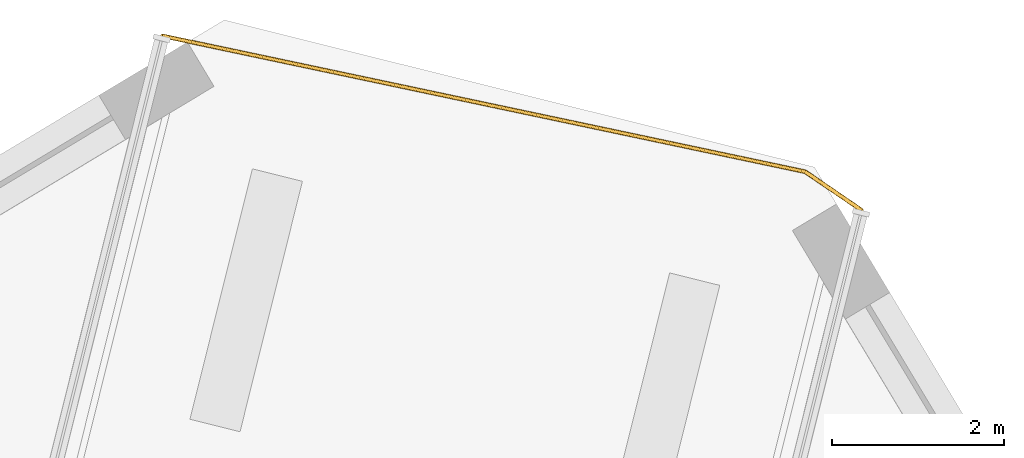
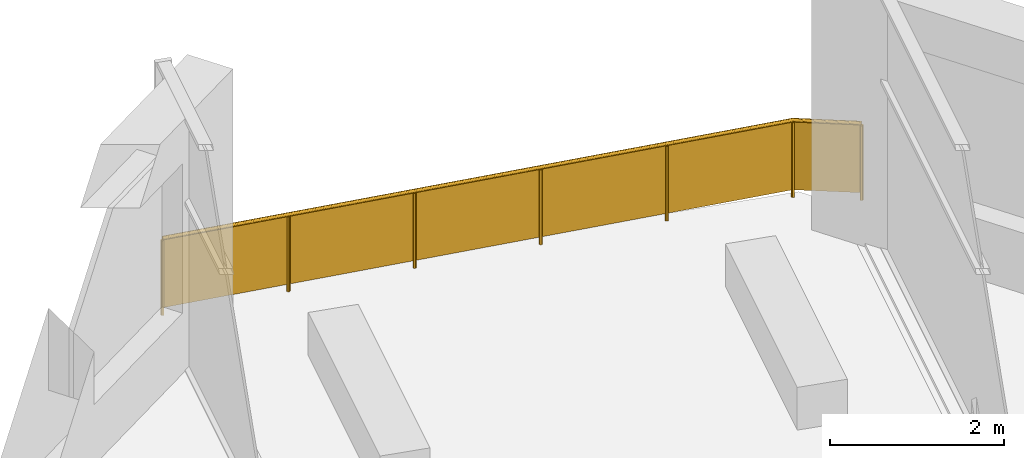
# One storey, part 13 of 14: 1 railing.
"""IFC4 building model written with IfcOpenShell, lengths in metres."""

from ifc_helpers import new_model, si_unit, direction, frame, origin, origin_2d, place, context, subcontext, project, spatial, rectangle, circle, extrude, material, type_object, element, save


model = new_model("IFC4")

# Units and contexts
model_context = context("Model", 3, precision=1e-05, world=origin(), true_north=direction((0.0, 1.0)))
body_context = subcontext(model_context, "Body", "Model", "MODEL_VIEW")
ifc_project = project(units=[si_unit("LENGTHUNIT", "METRE"), si_unit("AREAUNIT", "SQUARE_METRE"), si_unit("VOLUMEUNIT", "CUBIC_METRE"), si_unit("PLANEANGLEUNIT", "RADIAN"), si_unit("MASSUNIT", "GRAM", prefix="KILO")], contexts=[model_context])

# Site, building, storey
site_placement = place(None, origin())
site = spatial("IfcSite", under=ifc_project, at=site_placement, CompositionType="ELEMENT")
building_placement = place(site_placement, origin())
building = spatial("IfcBuilding", under=site, at=building_placement, Name="Dilmun Exchange Tower", CompositionType="ELEMENT")
storey_placement = place(building_placement, frame((0.0, 0.0, 147.699951171875)))
storey = spatial("IfcBuildingStorey", under=building, at=storey_placement, Name="L34", CompositionType="ELEMENT", Elevation=147.699951171875)

# Railing
ifc_material = material(Name="Stainless steel", Category="steel")
railing_type = type_object("IfcRailingType", Name="Terrace guard 1100 stainless steel", PredefinedType="GUARDRAIL", material=ifc_material)
railing_placement = place(storey_placement, frame((7.112548828125, 35.3203125, 0.0)))
element("IfcRailing", 1, at=railing_placement, inside=storey, type_object=railing_type, Name="Terrace guard 1", PredefinedType="GUARDRAIL", context=body_context, shape_type="SweptSolid", body=[
    extrude(circle(Radius=0.02392578125, at=origin_2d()), frame((0.0, 0.0, 1.076171875), z_axis=(0.978396225972, -0.20673854262, 0.0), x_axis=(0.20673854262, 0.978396225972, 0.0)), (0.0, 0.0, 1.0), 7.63818359375),
    extrude(rectangle(XDim=0.011962890625, YDim=0.951904296875, at=origin_2d()), frame((0.0, 0.0, 0.576171875), z_axis=(0.978396225972, -0.20673854262, 0.0), x_axis=(0.20673854262, 0.978396225972, 0.0)), (0.0, 0.0, 1.0), 7.63818359375),
    extrude(circle(Radius=0.02392578125, at=origin_2d()), frame((7.47314453125, -1.5791015625, 1.076171875), z_axis=(0.825947601645, -0.563746892973, 0.0), x_axis=(0.563746892973, 0.825947601645, 0.0)), (0.0, 0.0, 1.0), 0.794189453125),
    extrude(rectangle(XDim=0.011962890625, YDim=0.951904296875, at=origin_2d()), frame((7.47314453125, -1.5791015625, 0.576171875), z_axis=(0.825947601645, -0.563746892973, 0.0), x_axis=(0.563746892973, 0.825947601645, 0.0)), (0.0, 0.0, 1.0), 0.794189453125),
    extrude(circle(Radius=0.02099609375, at=origin_2d()), origin(), (0.0, 0.0, 1.0), 1.052001953125),
    extrude(circle(Radius=0.02099609375, at=origin_2d()), frame((1.49462890625, -0.31591796875, 0.0)), (0.0, 0.0, 1.0), 1.052001953125),
    extrude(circle(Radius=0.02099609375, at=origin_2d()), frame((2.9892578125, -0.631591796875, 0.0)), (0.0, 0.0, 1.0), 1.052001953125),
    extrude(circle(Radius=0.02099609375, at=origin_2d()), frame((4.48388671875, -0.947509765625, 0.0)), (0.0, 0.0, 1.0), 1.052001953125),
    extrude(circle(Radius=0.02099609375, at=origin_2d()), frame((5.978515625, -1.26318359375, 0.0)), (0.0, 0.0, 1.0), 1.052001953125),
    extrude(circle(Radius=0.02099609375, at=origin_2d()), frame((7.47314453125, -1.5791015625, 0.0)), (0.0, 0.0, 1.0), 1.052001953125),
    extrude(circle(Radius=0.02099609375, at=origin_2d()), frame((8.129150390625, -2.02685546875, 0.0)), (0.0, 0.0, 1.0), 1.052001953125),
])

save(model, "model.ifc")
